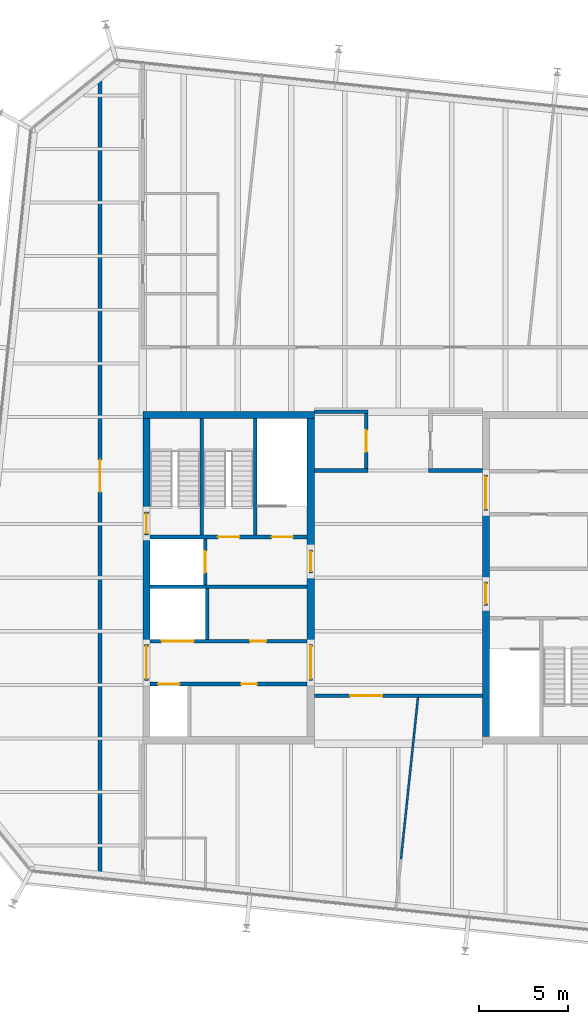
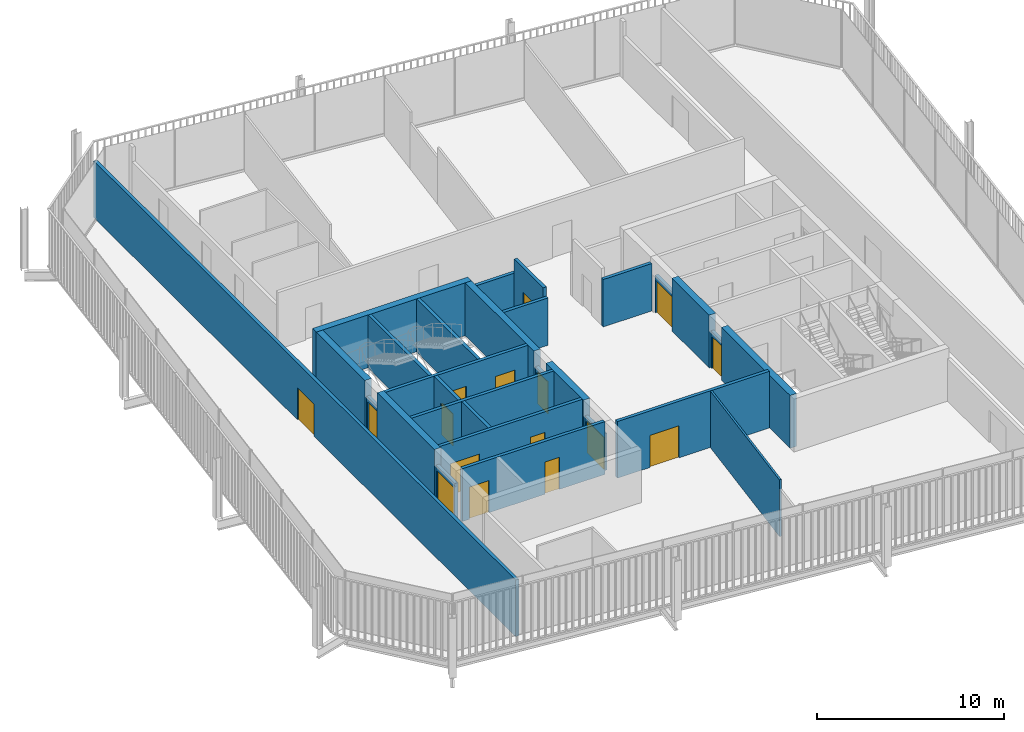
# One storey, part 16 of 19: 28 walls, 16 doors, 16 openings.
"""IFC4 building model written with IfcOpenShell, lengths in metres."""

from ifc_helpers import new_model, si_unit, direction, frame, frame_2d, origin, place, context, subcontext, project, spatial, rectangle, extrude, material, layer, layer_set, type_object, element, fill, save


model = new_model("IFC4")

# Units and contexts
model_context = context("Model", 3, precision=1e-05, world=origin(), true_north=direction((0.0, 1.0)))
body_context = subcontext(model_context, "Body", "Model", "MODEL_VIEW")
ifc_project = project(units=[si_unit("LENGTHUNIT", "METRE"), si_unit("AREAUNIT", "SQUARE_METRE"), si_unit("VOLUMEUNIT", "CUBIC_METRE"), si_unit("PLANEANGLEUNIT", "RADIAN"), si_unit("MASSUNIT", "GRAM", prefix="KILO")], contexts=[model_context])

# Site, building, storey
site_placement = place(None, origin())
site = spatial("IfcSite", under=ifc_project, at=site_placement, CompositionType="ELEMENT")
building_placement = place(site_placement, origin())
building = spatial("IfcBuilding", under=site, at=building_placement, Name="Millrace Tower", CompositionType="ELEMENT")
storey_placement = place(building_placement, frame((0.0, 0.0, 338.199951171875)))
storey = spatial("IfcBuildingStorey", under=building, at=storey_placement, Name="L78", CompositionType="ELEMENT", Elevation=338.199951171875)

# Walls
ifc_material_1 = material(Name="Concrete C60", Category="concrete")
ifc_layer_1 = layer(ifc_material_1, 0.39990234375)
ifc_layer_set_1 = layer_set([ifc_layer_1], Name="Concrete C60")
wall_type_1 = type_object("IfcWallType", Name="Core wall 400 Concrete C60", PredefinedType="SHEAR", material=ifc_layer_set_1)
wall_1_placement = place(storey_placement, frame((-14.300048828125, 9.10009765625, 0.0), z_axis=(0.0, 0.0, 1.0), x_axis=(1.0, 0.0, 0.0)))
element("IfcWall", 1, at=wall_1_placement, inside=storey, type_object=wall_type_1, Name="Core wall W L78", PredefinedType="SHEAR", context=body_context, shape_type="SweptSolid", body=[
    extrude(rectangle(XDim=9.60009765625, YDim=0.39990234375, at=frame_2d((4.800048828125, 0.0))), origin(), (0.0, 0.0, 1.0), 3.449951171875),
])
wall_2_placement = place(storey_placement, frame((-14.10009765625, -3.75, 0.0), z_axis=(0.0, 0.0, 1.0), x_axis=(0.0, 1.0, 0.0)))
element("IfcWall", 2, at=wall_2_placement, inside=storey, type_object=wall_type_1, Name="Core wall W L78", PredefinedType="SHEAR", context=body_context, shape_type="SweptSolid", body=[
    extrude(rectangle(XDim=6.1298828125, YDim=0.39990234375, at=frame_2d((3.06494140625, 0.0))), origin(), (0.0, 0.0, 1.0), 3.449951171875),
])
wall_3_placement = place(storey_placement, frame((-14.10009765625, 3.679931640625, 0.0), z_axis=(0.0, 0.0, 1.0), x_axis=(0.0, 1.0, 0.0)))
element("IfcWall", 3, at=wall_3_placement, inside=storey, type_object=wall_type_1, Name="Core wall W L78", PredefinedType="SHEAR", context=body_context, shape_type="SweptSolid", body=[
    extrude(rectangle(XDim=5.219970703125, YDim=0.39990234375, at=frame_2d((2.60986328125, 0.0))), origin(), (0.0, 0.0, 1.0), 3.449951171875),
])
wall_4_placement = place(storey_placement, frame((-4.89990234375, -3.75, 0.0), z_axis=(0.0, 0.0, 1.0), x_axis=(0.0, 1.0, 0.0)))
element("IfcWall", 4, at=wall_4_placement, inside=storey, type_object=wall_type_1, Name="Core wall W L78", PredefinedType="SHEAR", context=body_context, shape_type="SweptSolid", body=[
    extrude(rectangle(XDim=4.0, YDim=0.39990234375, at=frame_2d((2.0, 0.0))), origin(), (0.0, 0.0, 1.0), 3.449951171875),
])
wall_5_placement = place(storey_placement, frame((-4.89990234375, 1.550048828125, 0.0), z_axis=(0.0, 0.0, 1.0), x_axis=(0.0, 1.0, 0.0)))
element("IfcWall", 5, at=wall_5_placement, inside=storey, type_object=wall_type_1, Name="Core wall W L78", PredefinedType="SHEAR", context=body_context, shape_type="SweptSolid", body=[
    extrude(rectangle(XDim=7.349853515625, YDim=0.39990234375, at=frame_2d((3.6748046875, 0.0))), origin(), (0.0, 0.0, 1.0), 3.449951171875),
])
wall_6_placement = place(storey_placement, frame((4.89990234375, 3.75, 0.0), z_axis=(0.0, 0.0, 1.0), x_axis=(0.0, -1.0, 0.0)))
element("IfcWall", 6, at=wall_6_placement, inside=storey, type_object=wall_type_1, Name="Core wall E L78", PredefinedType="SHEAR", context=body_context, shape_type="SweptSolid", body=[
    extrude(rectangle(XDim=4.0, YDim=0.39990234375, at=frame_2d((2.0, 0.0))), origin(), (0.0, 0.0, 1.0), 3.449951171875),
])
wall_7_placement = place(storey_placement, frame((4.89990234375, -1.550048828125, 0.0), z_axis=(0.0, 0.0, 1.0), x_axis=(0.0, -1.0, 0.0)))
element("IfcWall", 7, at=wall_7_placement, inside=storey, type_object=wall_type_1, Name="Core wall E L78", PredefinedType="SHEAR", context=body_context, shape_type="SweptSolid", body=[
    extrude(rectangle(XDim=7.349853515625, YDim=0.39990234375, at=frame_2d((3.6748046875, 0.0))), origin(), (0.0, 0.0, 1.0), 3.449951171875),
])

# Wall, opening, door
ifc_material_2 = material(Name="Masonry partition, fire-rated", Category="masonry")
ifc_layer_2 = layer(ifc_material_2, 0.199951171875)
ifc_layer_set_2 = layer_set([ifc_layer_2], Name="Masonry partition, fire-rated")
wall_type_2 = type_object("IfcWallType", Name="Corridor wall 200", PredefinedType="PARTITIONING", material=ifc_layer_set_2)
wall_8_placement = place(storey_placement, frame((-4.699951171875, -6.60009765625, 0.0), z_axis=(0.0, 0.0, 1.0), x_axis=(1.0, 0.0, 0.0)))
wall_8 = element("IfcWall", 8, at=wall_8_placement, inside=storey, type_object=wall_type_2, Name="Corridor wall L78", PredefinedType="PARTITIONING", context=body_context, shape_type="SweptSolid", body=[
    extrude(rectangle(XDim=9.39990234375, YDim=0.199951171875, at=frame_2d((4.699951171875, 0.0))), origin(), (0.0, 0.0, 1.0), 3.699951171875),
])
opening_1_placement = place(wall_8_placement, frame((2.0048828125, 0.0, 0.0)))
opening_1 = element("IfcOpeningElement", 9, at=opening_1_placement, cuts=wall_8, Name="Opening 78-P012", PredefinedType="OPENING", context=body_context, shape_type="SweptSolid", body=[
    extrude(rectangle(XDim=1.800048828125, YDim=2.10009765625, at=frame_2d((0.89990234375, 1.050048828125))), frame((0.0, 0.10986328125, 0.0), z_axis=(0.0, -1.0, 0.0), x_axis=(1.0, 0.0, 0.0)), (0.0, 0.0, 1.0), 0.219970703125),
])
ifc_material_3 = material(Name="Steel door set, fire-rated", Category="steel")
door_type_1 = type_object("IfcDoorType", Name="Corridor door 1800 x 2100", OperationType="DOUBLE_DOOR_SINGLE_SWING", PredefinedType="DOOR", material=ifc_material_3)
door_1_placement = place(opening_1_placement, frame((1.800048828125, 0.0, 0.0), z_axis=(0.0, 0.0, 1.0), x_axis=(-1.0, 0.0, 0.0)))
door_1 = element("IfcDoor", 10, at=door_1_placement, inside=storey, type_object=door_type_1, Name="Door 78-P012", OperationType="DOUBLE_DOOR_SINGLE_SWING", OverallHeight=2.10009765625, OverallWidth=1.800048828125, PredefinedType="DOOR", context=body_context, shape_type="SweptSolid", body=[
    extrude(rectangle(XDim=1.800048828125, YDim=2.10009765625, at=frame_2d((0.89990234375, 1.050048828125))), frame((0.0, 0.02490234375, 0.0), z_axis=(0.0, -1.0, 0.0), x_axis=(1.0, 0.0, 0.0)), (0.0, 0.0, 1.0), 0.050048828125),
])
fill(opening_1, door_1)

# Walls
for number, where, z_axis, x_axis, name in (
    (11, (-4.699951171875, 6.0, 0.0), (0.0, 0.0, 1.0), (1.0, 0.0, 0.0), "Corridor wall L78"),
    (12, (1.699951171875, 6.0, 0.0), (0.0, 0.0, 1.0), (1.0, 0.0, 0.0), "Corridor wall L78"),
):
    element("IfcWall", number, at=place(storey_placement, frame(where, z_axis=z_axis, x_axis=x_axis)), inside=storey, type_object=wall_type_2, Name=name, PredefinedType="PARTITIONING", context=body_context, shape_type="SweptSolid", body=[
        extrude(rectangle(XDim=3.0, YDim=0.199951171875, at=frame_2d((1.5, 0.0))), origin(), (0.0, 0.0, 1.0), 3.1005859375),
    ])
wall_9_placement = place(storey_placement, frame((-4.699951171875, 9.300048828125, 0.0), z_axis=(0.0, 0.0, 1.0), x_axis=(1.0, 0.0, 0.0)))
element("IfcWall", 13, at=wall_9_placement, inside=storey, type_object=wall_type_2, Name="Corridor wall L78", PredefinedType="PARTITIONING", context=body_context, shape_type="SweptSolid", body=[
    extrude(rectangle(XDim=3.0, YDim=0.199951171875, at=frame_2d((1.5, 0.0))), origin(), (0.0, 0.0, 1.0), 2.77294921875),
])

# Wall, opening, door
wall_10_placement = place(storey_placement, frame((-1.800048828125, 6.10009765625, 0.0), z_axis=(0.0, 0.0, 1.0), x_axis=(0.0, 1.0, 0.0)))
wall_10 = element("IfcWall", 14, at=wall_10_placement, inside=storey, type_object=wall_type_2, Name="Corridor wall L78", PredefinedType="PARTITIONING", context=body_context, shape_type="SweptSolid", body=[
    extrude(rectangle(XDim=3.099853515625, YDim=0.199951171875, at=frame_2d((1.5498046875, 0.0))), origin(), (0.0, 0.0, 1.0), 3.699951171875),
])
opening_2_placement = place(wall_10_placement, frame((0.949951171875, 0.0, 0.0)))
opening_2 = element("IfcOpeningElement", 15, at=opening_2_placement, cuts=wall_10, Name="Opening 78-P001", PredefinedType="OPENING", context=body_context, shape_type="SweptSolid", body=[
    extrude(rectangle(XDim=1.199951171875, YDim=2.10009765625, at=frame_2d((0.60009765625, 1.050048828125))), frame((0.0, 0.10986328125, 0.0), z_axis=(0.0, -1.0, 0.0), x_axis=(1.0, 0.0, 0.0)), (0.0, 0.0, 1.0), 0.219970703125),
])
ifc_material_4 = material(Name="Steel door set, fire-rated", Category="steel")
door_type_2 = type_object("IfcDoorType", Name="Corridor door 1200 x 2100", OperationType="SINGLE_SWING_LEFT", PredefinedType="DOOR", material=ifc_material_4)
door_2_placement = place(opening_2_placement, origin())
door_2 = element("IfcDoor", 16, at=door_2_placement, inside=storey, type_object=door_type_2, Name="Door 78-P001", OperationType="SINGLE_SWING_RIGHT", OverallHeight=2.10009765625, OverallWidth=1.199951171875, PredefinedType="DOOR", context=body_context, shape_type="SweptSolid", body=[
    extrude(rectangle(XDim=1.199951171875, YDim=2.10009765625, at=frame_2d((0.60009765625, 1.050048828125))), frame((0.0, 0.02490234375, 0.0), z_axis=(0.0, -1.0, 0.0), x_axis=(1.0, 0.0, 0.0)), (0.0, 0.0, 1.0), 0.050048828125),
])
fill(opening_2, door_2)

wall_11_placement = place(storey_placement, frame((-16.699951171875, -16.779296875, 0.0), z_axis=(0.0, 0.0, 1.0), x_axis=(0.0, 1.0, 0.0)))
wall_11 = element("IfcWall", 17, at=wall_11_placement, inside=storey, type_object=wall_type_2, Name="Corridor wall L78", PredefinedType="PARTITIONING", context=body_context, shape_type="SweptSolid", body=[
    extrude(rectangle(XDim=45.16943359375, YDim=0.199951171875, at=frame_2d((22.584716796875, 0.0))), origin(), (0.0, 0.0, 1.0), 3.699951171875),
])
opening_3_placement = place(wall_11_placement, frame((21.57763671875, 0.0, 0.0)))
opening_3 = element("IfcOpeningElement", 18, at=opening_3_placement, cuts=wall_11, Name="Opening 78-P003", PredefinedType="OPENING", context=body_context, shape_type="SweptSolid", body=[
    extrude(rectangle(XDim=1.800048828125, YDim=2.10009765625, at=frame_2d((0.89990234375, 1.050048828125))), frame((0.0, 0.10986328125, 0.0), z_axis=(0.0, -1.0, 0.0), x_axis=(1.0, 0.0, 0.0)), (0.0, 0.0, 1.0), 0.219970703125),
])
door_3_placement = place(opening_3_placement, frame((1.800048828125, 0.0, 0.0), z_axis=(0.0, 0.0, 1.0), x_axis=(-1.0, 0.0, 0.0)))
door_3 = element("IfcDoor", 19, at=door_3_placement, inside=storey, type_object=door_type_1, Name="Door 78-P003", OperationType="DOUBLE_DOOR_SINGLE_SWING", OverallHeight=2.10009765625, OverallWidth=1.800048828125, PredefinedType="DOOR", context=body_context, shape_type="SweptSolid", body=[
    extrude(rectangle(XDim=1.800048828125, YDim=2.10009765625, at=frame_2d((0.89990234375, 1.050048828125))), frame((0.0, 0.02490234375, 0.0), z_axis=(0.0, -1.0, 0.0), x_axis=(1.0, 0.0, 0.0)), (0.0, 0.0, 1.0), 0.050048828125),
])
fill(opening_3, door_3)

# Wall, openings, doors
ifc_material_5 = material(Name="Masonry partition, fire-rated", Category="masonry")
ifc_layer_3 = layer(ifc_material_5, 0.199951171875)
ifc_layer_set_3 = layer_set([ifc_layer_3], Name="Masonry partition, fire-rated")
wall_type_3 = type_object("IfcWallType", Name="Lift shaft wall 200", PredefinedType="PARTITIONING", material=ifc_layer_set_3)
wall_12_placement = place(storey_placement, frame((-13.89990234375, -5.949951171875, 0.0), z_axis=(0.0, 0.0, 1.0), x_axis=(1.0, 0.0, 0.0)))
wall_12 = element("IfcWall", 20, at=wall_12_placement, inside=storey, type_object=wall_type_3, Name="Lift shaft wall W L78", PredefinedType="PARTITIONING", context=body_context, shape_type="SweptSolid", body=[
    extrude(rectangle(XDim=8.7998046875, YDim=0.199951171875, at=frame_2d((4.39990234375, 0.0))), origin(), (0.0, 0.0, 1.0), 3.449951171875),
])
opening_4_placement = place(wall_12_placement, frame((0.449951171875, 0.0, 0.0)))
opening_4 = element("IfcOpeningElement", 21, at=opening_4_placement, cuts=wall_12, Name="Opening 78-LD01", PredefinedType="OPENING", context=body_context, shape_type="SweptSolid", body=[
    extrude(rectangle(XDim=1.199951171875, YDim=2.10009765625, at=frame_2d((0.60009765625, 1.050048828125))), frame((0.0, 0.10986328125, 0.0), z_axis=(0.0, -1.0, 0.0), x_axis=(1.0, 0.0, 0.0)), (0.0, 0.0, 1.0), 0.219970703125),
])
opening_5_placement = place(wall_12_placement, frame((5.10009765625, 0.0, 0.0)))
opening_5 = element("IfcOpeningElement", 22, at=opening_5_placement, cuts=wall_12, Name="Opening 78-C005", PredefinedType="OPENING", context=body_context, shape_type="SweptSolid", body=[
    extrude(rectangle(XDim=0.89990234375, YDim=2.10009765625, at=frame_2d((0.449951171875, 1.050048828125))), frame((0.0, 0.10986328125, 0.0), z_axis=(0.0, -1.0, 0.0), x_axis=(1.0, 0.0, 0.0)), (0.0, 0.0, 1.0), 0.219970703125),
])
ifc_material_6 = material(Name="Stainless steel, fire-rated", Category="steel")
door_type_3 = type_object("IfcDoorType", Name="Lift landing door 1200 x 2100", OperationType="DOUBLE_DOOR_SLIDING", PredefinedType="DOOR", material=ifc_material_6)
door_4_placement = place(opening_4_placement, origin())
door_4 = element("IfcDoor", 23, at=door_4_placement, inside=storey, type_object=door_type_3, Name="Lift landing door LF1 L78", OperationType="DOUBLE_DOOR_SLIDING", OverallHeight=2.10009765625, OverallWidth=1.199951171875, PredefinedType="DOOR", context=body_context, shape_type="SweptSolid", body=[
    extrude(rectangle(XDim=1.199951171875, YDim=2.10009765625, at=frame_2d((0.60009765625, 1.050048828125))), frame((0.0, 0.02490234375, 0.0), z_axis=(0.0, -1.0, 0.0), x_axis=(1.0, 0.0, 0.0)), (0.0, 0.0, 1.0), 0.050048828125),
])
fill(opening_4, door_4)
ifc_material_7 = material(Name="Steel door, fire-rated", Category="steel")
door_type_4 = type_object("IfcDoorType", Name="Service room door 900 x 2100", OperationType="SINGLE_SWING_LEFT", PredefinedType="DOOR", material=ifc_material_7)
door_5_placement = place(opening_5_placement, frame((0.89990234375, 0.0, 0.0), z_axis=(0.0, 0.0, 1.0), x_axis=(-1.0, 0.0, 0.0)))
door_5 = element("IfcDoor", 24, at=door_5_placement, inside=storey, type_object=door_type_4, Name="Service room door 78-C005", OperationType="SINGLE_SWING_LEFT", OverallHeight=2.10009765625, OverallWidth=0.89990234375, PredefinedType="DOOR", context=body_context, shape_type="SweptSolid", body=[
    extrude(rectangle(XDim=0.89990234375, YDim=2.10009765625, at=frame_2d((0.449951171875, 1.050048828125))), frame((0.0, 0.02490234375, 0.0), z_axis=(0.0, -1.0, 0.0), x_axis=(1.0, 0.0, 0.0)), (0.0, 0.0, 1.0), 0.050048828125),
])
fill(opening_5, door_5)

wall_13_placement = place(storey_placement, frame((-13.89990234375, -3.550048828125, 0.0), z_axis=(0.0, 0.0, 1.0), x_axis=(1.0, 0.0, 0.0)))
wall_13 = element("IfcWall", 25, at=wall_13_placement, inside=storey, type_object=wall_type_3, Name="Lift shaft wall W L78", PredefinedType="PARTITIONING", context=body_context, shape_type="SweptSolid", body=[
    extrude(rectangle(XDim=8.7998046875, YDim=0.199951171875, at=frame_2d((4.39990234375, 0.0))), origin(), (0.0, 0.0, 1.0), 3.449951171875),
])
opening_6_placement = place(wall_13_placement, frame((0.64990234375, 0.0, 0.0)))
opening_6 = element("IfcOpeningElement", 26, at=opening_6_placement, cuts=wall_13, Name="Opening 78-LD05", PredefinedType="OPENING", context=body_context, shape_type="SweptSolid", body=[
    extrude(rectangle(XDim=1.800048828125, YDim=2.10009765625, at=frame_2d((0.89990234375, 1.050048828125))), frame((0.0, 0.10986328125, 0.0), z_axis=(0.0, -1.0, 0.0), x_axis=(1.0, 0.0, 0.0)), (0.0, 0.0, 1.0), 0.219970703125),
])
opening_7_placement = place(wall_13_placement, frame((5.60009765625, 0.0, 0.0)))
opening_7 = element("IfcOpeningElement", 27, at=opening_7_placement, cuts=wall_13, Name="Opening 78-C006", PredefinedType="OPENING", context=body_context, shape_type="SweptSolid", body=[
    extrude(rectangle(XDim=0.89990234375, YDim=2.10009765625, at=frame_2d((0.449951171875, 1.050048828125))), frame((0.0, 0.10986328125, 0.0), z_axis=(0.0, -1.0, 0.0), x_axis=(1.0, 0.0, 0.0)), (0.0, 0.0, 1.0), 0.219970703125),
])
ifc_material_8 = material(Name="Stainless steel, fire-rated", Category="steel")
door_type_5 = type_object("IfcDoorType", Name="Lift landing door 1800 x 2100", OperationType="DOUBLE_DOOR_SLIDING", PredefinedType="DOOR", material=ifc_material_8)
door_6_placement = place(opening_6_placement, origin())
door_6 = element("IfcDoor", 28, at=door_6_placement, inside=storey, type_object=door_type_5, Name="Lift landing door LF5 L78", OperationType="DOUBLE_DOOR_SLIDING", OverallHeight=2.10009765625, OverallWidth=1.800048828125, PredefinedType="DOOR", context=body_context, shape_type="SweptSolid", body=[
    extrude(rectangle(XDim=1.800048828125, YDim=2.10009765625, at=frame_2d((0.89990234375, 1.050048828125))), frame((0.0, 0.02490234375, 0.0), z_axis=(0.0, -1.0, 0.0), x_axis=(1.0, 0.0, 0.0)), (0.0, 0.0, 1.0), 0.050048828125),
])
fill(opening_6, door_6)
door_7_placement = place(opening_7_placement, origin())
door_7 = element("IfcDoor", 29, at=door_7_placement, inside=storey, type_object=door_type_4, Name="Service room door 78-C006", OperationType="SINGLE_SWING_RIGHT", OverallHeight=2.10009765625, OverallWidth=0.89990234375, PredefinedType="DOOR", context=body_context, shape_type="SweptSolid", body=[
    extrude(rectangle(XDim=0.89990234375, YDim=2.10009765625, at=frame_2d((0.449951171875, 1.050048828125))), frame((0.0, 0.02490234375, 0.0), z_axis=(0.0, -1.0, 0.0), x_axis=(1.0, 0.0, 0.0)), (0.0, 0.0, 1.0), 0.050048828125),
])
fill(opening_7, door_7)

# Wall
wall_14_placement = place(storey_placement, frame((-13.89990234375, -0.5, 0.0), z_axis=(0.0, 0.0, 1.0), x_axis=(1.0, 0.0, 0.0)))
element("IfcWall", 30, at=wall_14_placement, inside=storey, type_object=wall_type_3, Name="Lift shaft wall W L78", PredefinedType="PARTITIONING", context=body_context, shape_type="SweptSolid", body=[
    extrude(rectangle(XDim=8.7998046875, YDim=0.199951171875, at=frame_2d((4.39990234375, 0.0))), origin(), (0.0, 0.0, 1.0), 3.449951171875),
])

# Wall, opening, door
wall_15_placement = place(storey_placement, frame((-10.800048828125, -0.39990234375, 0.0), z_axis=(0.0, 0.0, 1.0), x_axis=(0.0, 1.0, 0.0)))
wall_15 = element("IfcWall", 31, at=wall_15_placement, inside=storey, type_object=wall_type_3, Name="Lift shaft wall W L78", PredefinedType="PARTITIONING", context=body_context, shape_type="SweptSolid", body=[
    extrude(rectangle(XDim=2.579833984375, YDim=0.199951171875, at=frame_2d((1.2900390625, 0.0))), origin(), (0.0, 0.0, 1.0), 3.449951171875),
])
opening_8_placement = place(wall_15_placement, frame((0.68994140625, 0.0, 0.0)))
opening_8 = element("IfcOpeningElement", 32, at=opening_8_placement, cuts=wall_15, Name="Opening 78-LD08", PredefinedType="OPENING", context=body_context, shape_type="SweptSolid", body=[
    extrude(rectangle(XDim=1.199951171875, YDim=2.10009765625, at=frame_2d((0.60009765625, 1.050048828125))), frame((0.0, 0.10986328125, 0.0), z_axis=(0.0, -1.0, 0.0), x_axis=(1.0, 0.0, 0.0)), (0.0, 0.0, 1.0), 0.219970703125),
])
door_8_placement = place(opening_8_placement, origin())
door_8 = element("IfcDoor", 33, at=door_8_placement, inside=storey, type_object=door_type_3, Name="Lift landing door LF8 L78", OperationType="DOUBLE_DOOR_SLIDING", OverallHeight=2.10009765625, OverallWidth=1.199951171875, PredefinedType="DOOR", context=body_context, shape_type="SweptSolid", body=[
    extrude(rectangle(XDim=1.199951171875, YDim=2.10009765625, at=frame_2d((0.60009765625, 1.050048828125))), frame((0.0, 0.02490234375, 0.0), z_axis=(0.0, -1.0, 0.0), x_axis=(1.0, 0.0, 0.0)), (0.0, 0.0, 1.0), 0.050048828125),
])
fill(opening_8, door_8)

# Wall
wall_16_placement = place(storey_placement, frame((-10.699951171875, -3.449951171875, 0.0), z_axis=(0.0, 0.0, 1.0), x_axis=(0.0, 1.0, 0.0)))
element("IfcWall", 34, at=wall_16_placement, inside=storey, type_object=wall_type_3, Name="Lift shaft wall W L78", PredefinedType="PARTITIONING", context=body_context, shape_type="SweptSolid", body=[
    extrude(rectangle(XDim=2.849853515625, YDim=0.199951171875, at=frame_2d((1.4248046875, 0.0))), origin(), (0.0, 0.0, 1.0), 3.449951171875),
])

# Wall, opening, door
ifc_material_9 = material(Name="Masonry partition, fire-rated", Category="masonry")
ifc_layer_4 = layer(ifc_material_9, 0.199951171875)
ifc_layer_set_4 = layer_set([ifc_layer_4], Name="Masonry partition, fire-rated")
wall_type_4 = type_object("IfcWallType", Name="Lobby wall 200", PredefinedType="PARTITIONING", material=ifc_layer_set_4)
wall_17_placement = place(storey_placement, frame((-14.10009765625, -5.75, 0.0), z_axis=(0.0, 0.0, 1.0), x_axis=(0.0, 1.0, 0.0)))
wall_17 = element("IfcWall", 35, at=wall_17_placement, inside=storey, type_object=wall_type_4, Name="Lobby wall W L78", PredefinedType="PARTITIONING", context=body_context, shape_type="SweptSolid", body=[
    extrude(rectangle(XDim=2.0, YDim=0.199951171875, at=frame_2d((1.0, 0.0))), origin(), (0.0, 0.0, 1.0), 2.400146484375),
])
opening_9_placement = place(wall_17_placement, frame((0.10009765625, 0.0, 0.0)))
opening_9 = element("IfcOpeningElement", 36, at=opening_9_placement, cuts=wall_17, Name="Opening 78-C001", PredefinedType="OPENING", context=body_context, shape_type="SweptSolid", body=[
    extrude(rectangle(XDim=1.800048828125, YDim=2.10009765625, at=frame_2d((0.89990234375, 1.050048828125))), frame((0.0, 0.10986328125, 0.0), z_axis=(0.0, -1.0, 0.0), x_axis=(1.0, 0.0, 0.0)), (0.0, 0.0, 1.0), 0.219970703125),
])
ifc_material_10 = material(Name="Steel door, fire-rated", Category="steel")
door_type_6 = type_object("IfcDoorType", Name="Lobby door 1800 x 2100", OperationType="DOUBLE_DOOR_SINGLE_SWING", PredefinedType="DOOR", material=ifc_material_10)
door_9_placement = place(opening_9_placement, origin())
door_9 = element("IfcDoor", 37, at=door_9_placement, inside=storey, type_object=door_type_6, Name="Lobby door 78-C001", OperationType="DOUBLE_DOOR_SINGLE_SWING", OverallHeight=2.10009765625, OverallWidth=1.800048828125, PredefinedType="DOOR", context=body_context, shape_type="SweptSolid", body=[
    extrude(rectangle(XDim=1.800048828125, YDim=2.10009765625, at=frame_2d((0.89990234375, 1.050048828125))), frame((0.0, 0.02490234375, 0.0), z_axis=(0.0, -1.0, 0.0), x_axis=(1.0, 0.0, 0.0)), (0.0, 0.0, 1.0), 0.050048828125),
])
fill(opening_9, door_9)

wall_18_placement = place(storey_placement, frame((-4.89990234375, -5.75, 0.0), z_axis=(0.0, 0.0, 1.0), x_axis=(0.0, 1.0, 0.0)))
wall_18 = element("IfcWall", 38, at=wall_18_placement, inside=storey, type_object=wall_type_4, Name="Lobby wall W L78", PredefinedType="PARTITIONING", context=body_context, shape_type="SweptSolid", body=[
    extrude(rectangle(XDim=2.0, YDim=0.199951171875, at=frame_2d((1.0, 0.0))), origin(), (0.0, 0.0, 1.0), 2.400146484375),
])
opening_10_placement = place(wall_18_placement, frame((0.10009765625, 0.0, 0.0)))
opening_10 = element("IfcOpeningElement", 39, at=opening_10_placement, cuts=wall_18, Name="Opening 78-C003", PredefinedType="OPENING", context=body_context, shape_type="SweptSolid", body=[
    extrude(rectangle(XDim=1.800048828125, YDim=2.10009765625, at=frame_2d((0.89990234375, 1.050048828125))), frame((0.0, 0.10986328125, 0.0), z_axis=(0.0, -1.0, 0.0), x_axis=(1.0, 0.0, 0.0)), (0.0, 0.0, 1.0), 0.219970703125),
])
door_10_placement = place(opening_10_placement, frame((1.800048828125, 0.0, 0.0), z_axis=(0.0, 0.0, 1.0), x_axis=(-1.0, 0.0, 0.0)))
door_10 = element("IfcDoor", 40, at=door_10_placement, inside=storey, type_object=door_type_6, Name="Lobby door 78-C003", OperationType="DOUBLE_DOOR_SINGLE_SWING", OverallHeight=2.10009765625, OverallWidth=1.800048828125, PredefinedType="DOOR", context=body_context, shape_type="SweptSolid", body=[
    extrude(rectangle(XDim=1.800048828125, YDim=2.10009765625, at=frame_2d((0.89990234375, 1.050048828125))), frame((0.0, 0.02490234375, 0.0), z_axis=(0.0, -1.0, 0.0), x_axis=(1.0, 0.0, 0.0)), (0.0, 0.0, 1.0), 0.050048828125),
])
fill(opening_10, door_10)

wall_19_placement = place(storey_placement, frame((-4.89990234375, 0.25, 0.0), z_axis=(0.0, 0.0, 1.0), x_axis=(0.0, 1.0, 0.0)))
wall_19 = element("IfcWall", 41, at=wall_19_placement, inside=storey, type_object=wall_type_4, Name="Lobby wall W L78", PredefinedType="PARTITIONING", context=body_context, shape_type="SweptSolid", body=[
    extrude(rectangle(XDim=1.300048828125, YDim=0.199951171875, at=frame_2d((0.64990234375, 0.0))), origin(), (0.0, 0.0, 1.0), 2.400146484375),
])
opening_11_placement = place(wall_19_placement, frame((0.10009765625, 0.0, 0.0)))
opening_11 = element("IfcOpeningElement", 42, at=opening_11_placement, cuts=wall_19, Name="Opening 78-C004", PredefinedType="OPENING", context=body_context, shape_type="SweptSolid", body=[
    extrude(rectangle(XDim=1.10009765625, YDim=2.10009765625, at=frame_2d((0.550048828125, 1.050048828125))), frame((0.0, 0.10986328125, 0.0), z_axis=(0.0, -1.0, 0.0), x_axis=(1.0, 0.0, 0.0)), (0.0, 0.0, 1.0), 0.219970703125),
])
ifc_material_11 = material(Name="Steel door, fire-rated", Category="steel")
door_type_7 = type_object("IfcDoorType", Name="Lobby door 1100 x 2100", OperationType="SINGLE_SWING_LEFT", PredefinedType="DOOR", material=ifc_material_11)
door_11_placement = place(opening_11_placement, frame((1.10009765625, 0.0, 0.0), z_axis=(0.0, 0.0, 1.0), x_axis=(-1.0, 0.0, 0.0)))
door_11 = element("IfcDoor", 43, at=door_11_placement, inside=storey, type_object=door_type_7, Name="Lobby door 78-C004", OperationType="SINGLE_SWING_RIGHT", OverallHeight=2.10009765625, OverallWidth=1.10009765625, PredefinedType="DOOR", context=body_context, shape_type="SweptSolid", body=[
    extrude(rectangle(XDim=1.10009765625, YDim=2.10009765625, at=frame_2d((0.550048828125, 1.050048828125))), frame((0.0, 0.02490234375, 0.0), z_axis=(0.0, -1.0, 0.0), x_axis=(1.0, 0.0, 0.0)), (0.0, 0.0, 1.0), 0.050048828125),
])
fill(opening_11, door_11)

wall_20_placement = place(storey_placement, frame((4.89990234375, 5.75, 0.0), z_axis=(0.0, 0.0, 1.0), x_axis=(0.0, -1.0, 0.0)))
wall_20 = element("IfcWall", 44, at=wall_20_placement, inside=storey, type_object=wall_type_4, Name="Lobby wall E L78", PredefinedType="PARTITIONING", context=body_context, shape_type="SweptSolid", body=[
    extrude(rectangle(XDim=2.0, YDim=0.199951171875, at=frame_2d((1.0, 0.0))), origin(), (0.0, 0.0, 1.0), 2.400146484375),
])
opening_12_placement = place(wall_20_placement, frame((0.10009765625, 0.0, 0.0)))
opening_12 = element("IfcOpeningElement", 45, at=opening_12_placement, cuts=wall_20, Name="Opening 78-C011", PredefinedType="OPENING", context=body_context, shape_type="SweptSolid", body=[
    extrude(rectangle(XDim=1.800048828125, YDim=2.10009765625, at=frame_2d((0.89990234375, 1.050048828125))), frame((0.0, 0.10986328125, 0.0), z_axis=(0.0, -1.0, 0.0), x_axis=(1.0, 0.0, 0.0)), (0.0, 0.0, 1.0), 0.219970703125),
])
door_12_placement = place(opening_12_placement, frame((1.800048828125, 0.0, 0.0), z_axis=(0.0, 0.0, 1.0), x_axis=(-1.0, 0.0, 0.0)))
door_12 = element("IfcDoor", 46, at=door_12_placement, inside=storey, type_object=door_type_6, Name="Lobby door 78-C011", OperationType="DOUBLE_DOOR_SINGLE_SWING", OverallHeight=2.10009765625, OverallWidth=1.800048828125, PredefinedType="DOOR", context=body_context, shape_type="SweptSolid", body=[
    extrude(rectangle(XDim=1.800048828125, YDim=2.10009765625, at=frame_2d((0.89990234375, 1.050048828125))), frame((0.0, 0.02490234375, 0.0), z_axis=(0.0, -1.0, 0.0), x_axis=(1.0, 0.0, 0.0)), (0.0, 0.0, 1.0), 0.050048828125),
])
fill(opening_12, door_12)

wall_21_placement = place(storey_placement, frame((4.89990234375, -0.25, 0.0), z_axis=(0.0, 0.0, 1.0), x_axis=(0.0, -1.0, 0.0)))
wall_21 = element("IfcWall", 47, at=wall_21_placement, inside=storey, type_object=wall_type_4, Name="Lobby wall E L78", PredefinedType="PARTITIONING", context=body_context, shape_type="SweptSolid", body=[
    extrude(rectangle(XDim=1.300048828125, YDim=0.199951171875, at=frame_2d((0.64990234375, 0.0))), origin(), (0.0, 0.0, 1.0), 2.400146484375),
])
opening_13_placement = place(wall_21_placement, frame((0.10009765625, 0.0, 0.0)))
opening_13 = element("IfcOpeningElement", 48, at=opening_13_placement, cuts=wall_21, Name="Opening 78-C012", PredefinedType="OPENING", context=body_context, shape_type="SweptSolid", body=[
    extrude(rectangle(XDim=1.10009765625, YDim=2.10009765625, at=frame_2d((0.550048828125, 1.050048828125))), frame((0.0, 0.10986328125, 0.0), z_axis=(0.0, -1.0, 0.0), x_axis=(1.0, 0.0, 0.0)), (0.0, 0.0, 1.0), 0.219970703125),
])
door_13_placement = place(opening_13_placement, frame((1.10009765625, 0.0, 0.0), z_axis=(0.0, 0.0, 1.0), x_axis=(-1.0, 0.0, 0.0)))
door_13 = element("IfcDoor", 49, at=door_13_placement, inside=storey, type_object=door_type_7, Name="Lobby door 78-C012", OperationType="SINGLE_SWING_LEFT", OverallHeight=2.10009765625, OverallWidth=1.10009765625, PredefinedType="DOOR", context=body_context, shape_type="SweptSolid", body=[
    extrude(rectangle(XDim=1.10009765625, YDim=2.10009765625, at=frame_2d((0.550048828125, 1.050048828125))), frame((0.0, 0.02490234375, 0.0), z_axis=(0.0, -1.0, 0.0), x_axis=(1.0, 0.0, 0.0)), (0.0, 0.0, 1.0), 0.050048828125),
])
fill(opening_13, door_13)

# Wall
ifc_material_12 = material(Name="Gypsum board partition")
ifc_layer_5 = layer(ifc_material_12, 0.1201171875)
ifc_layer_set_5 = layer_set([ifc_layer_5], Name="Gypsum board partition")
wall_type_5 = type_object("IfcWallType", Name="Partition wall 120", PredefinedType="PARTITIONING", material=ifc_layer_set_5)
wall_22_placement = place(storey_placement, frame((0.148681640625, -15.75048828125, 0.0), z_axis=(0.0, 0.0, 1.0), x_axis=(0.104487885815, 0.994526159393, 0.0)))
element("IfcWall", 50, at=wall_22_placement, inside=storey, type_object=wall_type_5, Name="Partition wall L78", PredefinedType="PARTITIONING", context=body_context, shape_type="SweptSolid", body=[
    extrude(rectangle(XDim=9.100830078125, YDim=0.1201171875, at=frame_2d((4.55029296875, 0.0))), origin(), (0.0, 0.0, 1.0), 3.699951171875),
])

# Wall, opening, door
ifc_material_13 = material(Name="Concrete C40", Category="concrete")
ifc_layer_6 = layer(ifc_material_13, 0.199951171875)
ifc_layer_set_6 = layer_set([ifc_layer_6], Name="Concrete C40")
wall_type_6 = type_object("IfcWallType", Name="Stair enclosure wall 200 Concrete C40", PredefinedType="SHEAR", material=ifc_layer_set_6)
wall_23_placement = place(storey_placement, frame((-14.10009765625, 2.3798828125, 0.0), z_axis=(0.0, 0.0, 1.0), x_axis=(0.0, 1.0, 0.0)))
wall_23 = element("IfcWall", 51, at=wall_23_placement, inside=storey, type_object=wall_type_6, Name="Stair enclosure wall W L78", PredefinedType="SHEAR", context=body_context, shape_type="SweptSolid", body=[
    extrude(rectangle(XDim=1.300048828125, YDim=0.199951171875, at=frame_2d((0.64990234375, 0.0))), origin(), (0.0, 0.0, 1.0), 2.400146484375),
])
opening_14_placement = place(wall_23_placement, frame((0.10009765625, 0.0, 0.0)))
opening_14 = element("IfcOpeningElement", 52, at=opening_14_placement, cuts=wall_23, Name="Opening 78-C002", PredefinedType="OPENING", context=body_context, shape_type="SweptSolid", body=[
    extrude(rectangle(XDim=1.10009765625, YDim=2.10009765625, at=frame_2d((0.550048828125, 1.050048828125))), frame((0.0, 0.10986328125, 0.0), z_axis=(0.0, -1.0, 0.0), x_axis=(1.0, 0.0, 0.0)), (0.0, 0.0, 1.0), 0.219970703125),
])
ifc_material_14 = material(Name="Steel door, fire-rated", Category="steel")
door_type_8 = type_object("IfcDoorType", Name="Stair door 1100 x 2100", OperationType="SINGLE_SWING_LEFT", PredefinedType="DOOR", material=ifc_material_14)
door_14_placement = place(opening_14_placement, origin())
door_14 = element("IfcDoor", 53, at=door_14_placement, inside=storey, type_object=door_type_8, Name="Stair door 78-C002", OperationType="SINGLE_SWING_LEFT", OverallHeight=2.10009765625, OverallWidth=1.10009765625, PredefinedType="DOOR", context=body_context, shape_type="SweptSolid", body=[
    extrude(rectangle(XDim=1.10009765625, YDim=2.10009765625, at=frame_2d((0.550048828125, 1.050048828125))), frame((0.0, 0.02490234375, 0.0), z_axis=(0.0, -1.0, 0.0), x_axis=(1.0, 0.0, 0.0)), (0.0, 0.0, 1.0), 0.050048828125),
])
fill(opening_14, door_14)

# Wall, openings, doors
wall_24_placement = place(storey_placement, frame((-13.89990234375, 2.280029296875, 0.0), z_axis=(0.0, 0.0, 1.0), x_axis=(1.0, 0.0, 0.0)))
wall_24 = element("IfcWall", 54, at=wall_24_placement, inside=storey, type_object=wall_type_6, Name="Stair enclosure wall W L78", PredefinedType="SHEAR", context=body_context, shape_type="SweptSolid", body=[
    extrude(rectangle(XDim=8.7998046875, YDim=0.199951171875, at=frame_2d((4.39990234375, 0.0))), origin(), (0.0, 0.0, 1.0), 3.449951171875),
])
opening_15_placement = place(wall_24_placement, frame((3.800048828125, 0.0, 0.0)))
opening_15 = element("IfcOpeningElement", 55, at=opening_15_placement, cuts=wall_24, Name="Opening 78-C007", PredefinedType="OPENING", context=body_context, shape_type="SweptSolid", body=[
    extrude(rectangle(XDim=1.199951171875, YDim=2.10009765625, at=frame_2d((0.60009765625, 1.050048828125))), frame((0.0, 0.10986328125, 0.0), z_axis=(0.0, -1.0, 0.0), x_axis=(1.0, 0.0, 0.0)), (0.0, 0.0, 1.0), 0.219970703125),
])
opening_16_placement = place(wall_24_placement, frame((6.800048828125, 0.0, 0.0)))
opening_16 = element("IfcOpeningElement", 56, at=opening_16_placement, cuts=wall_24, Name="Opening 78-C008", PredefinedType="OPENING", context=body_context, shape_type="SweptSolid", body=[
    extrude(rectangle(XDim=1.199951171875, YDim=2.10009765625, at=frame_2d((0.60009765625, 1.050048828125))), frame((0.0, 0.10986328125, 0.0), z_axis=(0.0, -1.0, 0.0), x_axis=(1.0, 0.0, 0.0)), (0.0, 0.0, 1.0), 0.219970703125),
])
ifc_material_15 = material(Name="Steel door, fire-rated", Category="steel")
door_type_9 = type_object("IfcDoorType", Name="Stair door 1200 x 2100", OperationType="SINGLE_SWING_LEFT", PredefinedType="DOOR", material=ifc_material_15)
door_15_placement = place(opening_15_placement, frame((1.199951171875, 0.0, 0.0), z_axis=(0.0, 0.0, 1.0), x_axis=(-1.0, 0.0, 0.0)))
door_15 = element("IfcDoor", 57, at=door_15_placement, inside=storey, type_object=door_type_9, Name="Stair door 78-C007", OperationType="SINGLE_SWING_RIGHT", OverallHeight=2.10009765625, OverallWidth=1.199951171875, PredefinedType="DOOR", context=body_context, shape_type="SweptSolid", body=[
    extrude(rectangle(XDim=1.199951171875, YDim=2.10009765625, at=frame_2d((0.60009765625, 1.050048828125))), frame((0.0, 0.02490234375, 0.0), z_axis=(0.0, -1.0, 0.0), x_axis=(1.0, 0.0, 0.0)), (0.0, 0.0, 1.0), 0.050048828125),
])
fill(opening_15, door_15)
door_16_placement = place(opening_16_placement, frame((1.199951171875, 0.0, 0.0), z_axis=(0.0, 0.0, 1.0), x_axis=(-1.0, 0.0, 0.0)))
door_16 = element("IfcDoor", 58, at=door_16_placement, inside=storey, type_object=door_type_9, Name="Stair door 78-C008", OperationType="SINGLE_SWING_LEFT", OverallHeight=2.10009765625, OverallWidth=1.199951171875, PredefinedType="DOOR", context=body_context, shape_type="SweptSolid", body=[
    extrude(rectangle(XDim=1.199951171875, YDim=2.10009765625, at=frame_2d((0.60009765625, 1.050048828125))), frame((0.0, 0.02490234375, 0.0), z_axis=(0.0, -1.0, 0.0), x_axis=(1.0, 0.0, 0.0)), (0.0, 0.0, 1.0), 0.050048828125),
])
fill(opening_16, door_16)

# Walls
for number, where, z_axis, x_axis, name in (
    (59, (-11.0, 2.3798828125, 0.0), (0.0, 0.0, 1.0), (0.0, 1.0, 0.0), "Stair enclosure wall W L78"),
    (60, (-8.0, 2.3798828125, 0.0), (0.0, 0.0, 1.0), (0.0, 1.0, 0.0), "Stair enclosure wall W L78"),
):
    element("IfcWall", number, at=place(storey_placement, frame(where, z_axis=z_axis, x_axis=x_axis)), inside=storey, type_object=wall_type_6, Name=name, PredefinedType="SHEAR", context=body_context, shape_type="SweptSolid", body=[
        extrude(rectangle(XDim=6.52001953125, YDim=0.199951171875, at=frame_2d((3.260009765625, 0.0))), origin(), (0.0, 0.0, 1.0), 3.449951171875),
    ])

save(model, "model.ifc")
